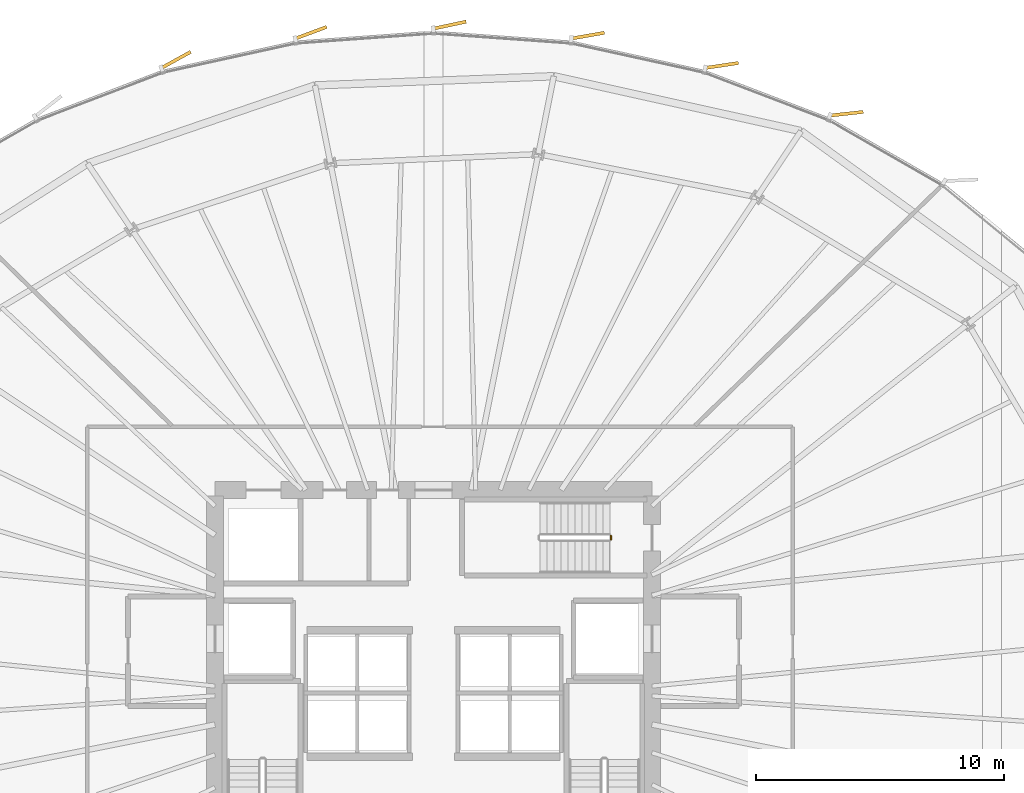
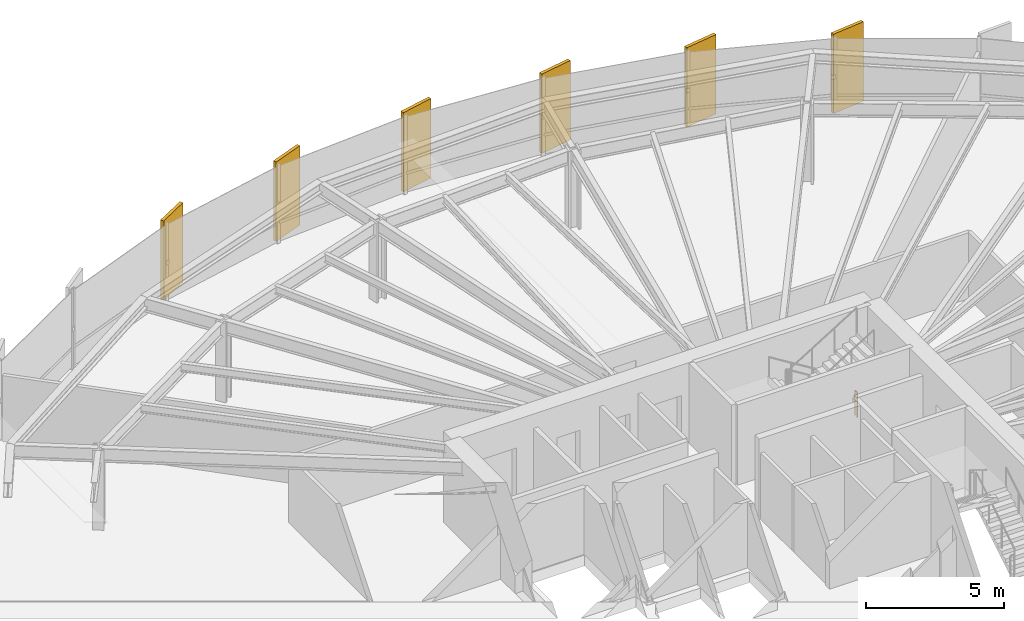
# One storey, part 37 of 38: 6 coverings, 1 railing.
"""IFC4 building model written with IfcOpenShell, lengths in metres."""

from ifc_helpers import new_model, si_unit, direction, frame, origin, origin_2d, place, context, subcontext, project, spatial, rectangle, circle, extrude, source, transform, mapped, material, layer, layer_set, type_object, element, save


model = new_model("IFC4")

# Units and contexts
model_context = context("Model", 3, precision=1e-05, world=origin(), true_north=direction((0.0, 1.0)))
body_context = subcontext(model_context, "Body", "Model", "MODEL_VIEW")
ifc_project = project(units=[si_unit("LENGTHUNIT", "METRE"), si_unit("AREAUNIT", "SQUARE_METRE"), si_unit("VOLUMEUNIT", "CUBIC_METRE"), si_unit("PLANEANGLEUNIT", "RADIAN"), si_unit("MASSUNIT", "GRAM", prefix="KILO"), si_unit("THERMODYNAMICTEMPERATUREUNIT", "KELVIN")], contexts=[model_context])

# Site, building, storey
site_placement = place(None, origin())
site = spatial("IfcSite", under=ifc_project, at=site_placement, CompositionType="ELEMENT")
building_placement = place(site_placement, origin())
building = spatial("IfcBuilding", under=site, at=building_placement, Name="Kethvar Cultural Tower", CompositionType="ELEMENT")
storey_placement = place(building_placement, frame((0.0, 0.0, 29.60009765625)))
storey = spatial("IfcBuildingStorey", under=building, at=storey_placement, Name="L06", CompositionType="ELEMENT", Elevation=29.60009765625)

# Railing
ifc_material_1 = material(Name="Steel S355J2", Category="steel")
railing_type = type_object("IfcRailingType", Name="RL-STAIR-GUARD", PredefinedType="BALUSTRADE", material=ifc_material_1)
railing_placement = place(storey_placement, frame((53.949951171875, 33.659912109375, 0.0)))
element("IfcRailing", 1, at=railing_placement, inside=storey, type_object=railing_type, Name="L06 ST-03 stair guard 4", PredefinedType="BALUSTRADE", context=body_context, shape_type="SweptSolid", body=[
    extrude(circle(Radius=0.02392578125, at=origin_2d()), frame((0.0, 0.0, 1.09619140625), z_axis=(0.0, -1.0, 0.0), x_axis=(1.0, 0.0, 0.0)), (0.0, 0.0, 1.0), 0.159912109375),
    extrude(circle(Radius=0.02099609375, at=origin_2d()), origin(), (0.0, 0.0, 1.0), 1.072021484375),
    extrude(circle(Radius=0.02099609375, at=origin_2d()), frame((0.0, -0.159912109375, 0.0)), (0.0, 0.0, 1.0), 1.072021484375),
])

# Coverings
ifc_material_2 = material(Name="Extruded Architectural Terracotta", Category="masonry")
ifc_layer = layer(ifc_material_2, 0.135009765625, Name="Extruded Architectural Terracotta", Category="masonry")
ifc_layer_set = layer_set([ifc_layer], Name="Extruded Architectural Terracotta (135 mm)")
covering_type = type_object("IfcCoveringType", Name="Terracotta Facade Fin FIN-01", PredefinedType="CLADDING", material=ifc_layer_set)
shared_shape = source(origin(), body_context, "Body", "SweptSolid", [
    extrude(rectangle(XDim=1.35009765625, YDim=0.135009765625, at=origin_2d()), origin(), (0.0, 0.0, 1.0), 3.510009765625),
])
for number, where, z_axis, x_axis, name in (
    (2, (63.440185546875, 50.653564453125, 0.02001953125), (0.0, 0.0, 1.0), (0.993999199399, 0.109387346587, 0.0), "L06 Vertical Terracotta Fin 2.1"),
    (3, (58.415771484375, 52.59765625, 0.02001953125), (0.0, 0.0, 1.0), (0.989041645907, 0.147636793048, 0.0), "L06 Vertical Terracotta Fin 2.2"),
    (4, (53.0205078125, 53.79833984375, 0.02001953125), (0.0, 0.0, 1.0), (0.984958914628, 0.172788704766, 0.0), "L06 Vertical Terracotta Fin 2.3"),
    (5, (47.454345703125, 54.221435546875, 0.02001953125), (0.0, 0.0, 1.0), (0.977746636525, 0.209789215079, 0.0), "L06 Vertical Terracotta Fin 2.4"),
    (6, (41.86572265625, 53.915283203125, 0.02001953125), (0.0, 0.0, 1.0), (0.937342812515, 0.348408455446, 0.0), "L06 Vertical Terracotta Fin 2.5"),
    (7, (36.43115234375, 52.821044921875, 0.02001953125), (0.0, 0.0, 1.0), (0.875295776291, 0.483587948575, 0.0), "L06 Vertical Terracotta Fin 2.6"),
):
    element("IfcCovering", number, at=place(storey_placement, frame(where, z_axis=z_axis, x_axis=x_axis)), inside=storey, type_object=covering_type, Name=name, PredefinedType="CLADDING", context=body_context, shape_type="MappedRepresentation", body=[
        mapped(shared_shape, transform((0.0, 0.0, 0.0), scale=1.0)),
    ])

save(model, "model.ifc")
